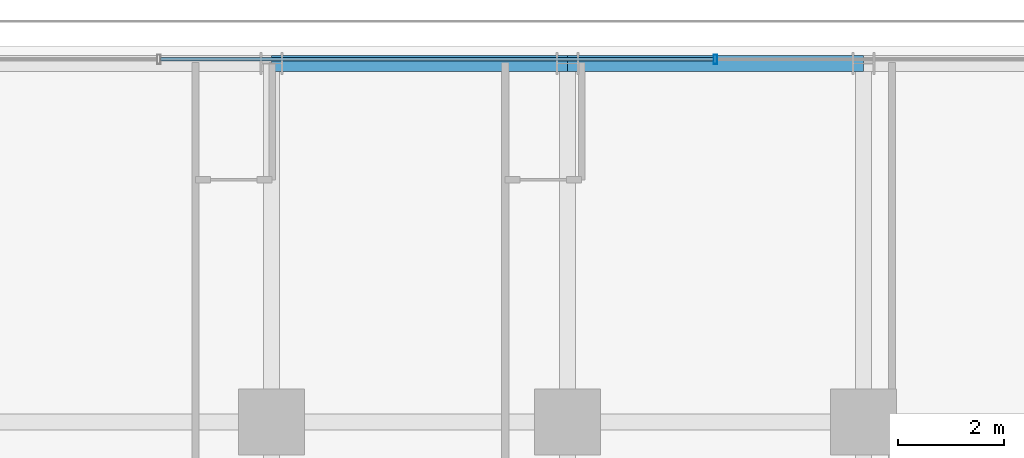
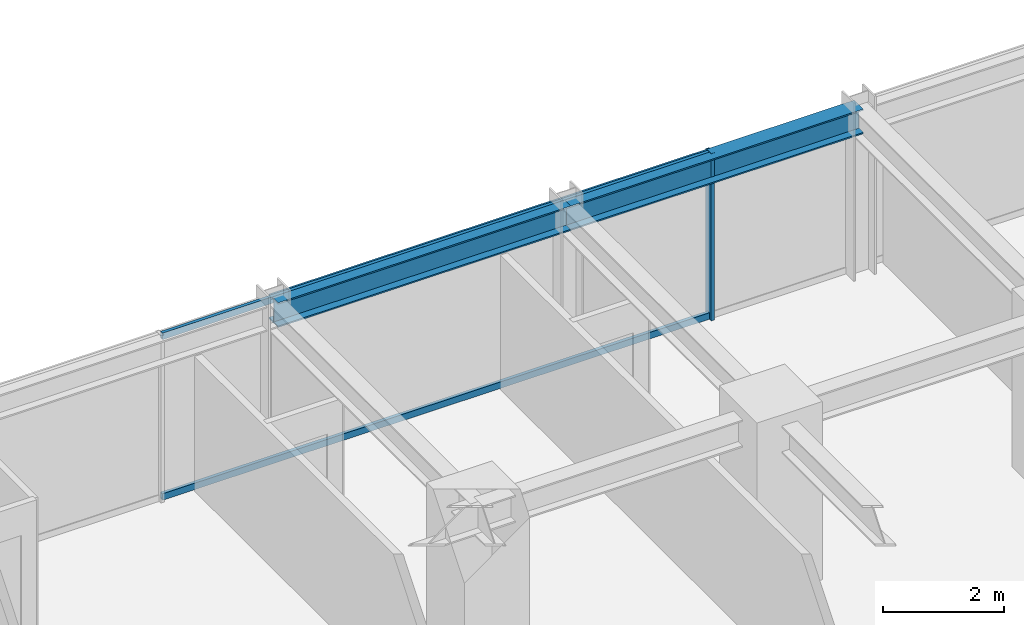
# One storey, part 20 of 34: 3 members, 2 beams, 1 element without a shape of its own.
"""IFC4 building model written with IfcOpenShell, lengths in metres."""

from ifc_helpers import new_model, si_unit, direction, frame, origin, origin_2d, place, context, subcontext, project, spatial, hollow_rectangle, i_section, extrude, source, transform, mapped, material, material_profile, profile_set, type_object, element, aggregate, save


model = new_model("IFC4")

# Units and contexts
model_context = context("Model", 3, precision=1e-05, world=origin(), true_north=direction((0.0, 1.0)))
body_context = subcontext(model_context, "Body", "Model", "MODEL_VIEW")
ifc_project = project(units=[si_unit("LENGTHUNIT", "METRE"), si_unit("AREAUNIT", "SQUARE_METRE"), si_unit("VOLUMEUNIT", "CUBIC_METRE"), si_unit("PLANEANGLEUNIT", "RADIAN"), si_unit("MASSUNIT", "GRAM", prefix="KILO")], contexts=[model_context])

# Site, building, storey
site_placement = place(None, origin())
site = spatial("IfcSite", under=ifc_project, at=site_placement, CompositionType="ELEMENT")
building_placement = place(site_placement, origin())
building = spatial("IfcBuilding", under=site, at=building_placement, Name="Nahalor Promenade Grand Hotel", CompositionType="ELEMENT")
storey_placement = place(building_placement, frame((0.0, 0.0, 88.300048828125)))
storey = spatial("IfcBuildingStorey", under=building, at=storey_placement, Name="L21", CompositionType="ELEMENT", Elevation=88.300048828125)

# Beams
ifc_material_1 = material(Name="Steel S355JR", Category="steel")
ifc_material_profile_1 = material_profile(ifc_material_1, i_section(OverallWidth=0.3, OverallDepth=0.5, WebThickness=0.0145, FlangeThickness=0.028, at=origin_2d()), Name="HEB 500")
ifc_profile_set_1 = profile_set([ifc_material_profile_1], Name="Steel S355JR")
beam_type = type_object("IfcBeamType", Name="Beam-Spandrel-HEB500", PredefinedType="SPANDREL", material=ifc_profile_set_1)
shared_shape_1 = source(origin(), body_context, "Body", "SweptSolid", [
    extrude(i_section(OverallWidth=0.3, OverallDepth=0.5, WebThickness=0.0145, FlangeThickness=0.028, at=origin_2d()), origin(), (0.0, 0.0, 1.0), 5.599853515625),
])
beam_1_placement = place(storey_placement, frame((-8.39990234375, 23.780029296875, 3.1298828125), z_axis=(1.0, 0.0, 0.0), x_axis=(0.0, 1.0, 0.0)))
element("IfcBeam", 1, at=beam_1_placement, inside=storey, type_object=beam_type, Name="BM-L21-SP-N-1", PredefinedType="SPANDREL", context=body_context, shape_type="MappedRepresentation", body=[
    mapped(shared_shape_1, transform((0.0, 0.0, 0.0), scale=1.0)),
])
shared_shape_2 = source(origin(), body_context, "Body", "SweptSolid", [
    extrude(i_section(OverallWidth=0.3, OverallDepth=0.5, WebThickness=0.0145, FlangeThickness=0.028, at=origin_2d()), origin(), (0.0, 0.0, 1.0), 5.60009765625),
])
beam_2_placement = place(storey_placement, frame((-2.800048828125, 23.780029296875, 3.1298828125), z_axis=(1.0, 0.0, 0.0), x_axis=(0.0, 1.0, 0.0)))
element("IfcBeam", 2, at=beam_2_placement, inside=storey, type_object=beam_type, Name="BM-L21-SP-N-2", PredefinedType="SPANDREL", context=body_context, shape_type="MappedRepresentation", body=[
    mapped(shared_shape_2, transform((0.0, 0.0, 0.0), scale=1.0)),
])

# Curtain wall, members
ifc_material_2 = material(Name="Anodised Bronze Aluminium EN AW-6063 T6", Category="aluminium")
curtain_wall_type = type_object("IfcCurtainWallType", Name="CW2 Typical Hotel Flush Bronze Unitised Curtain Wall", PredefinedType="USERDEFINED", material=ifc_material_2)
curtain_wall_placement = place(storey_placement, origin())
curtain_wall = element("IfcCurtainWall", 3, at=curtain_wall_placement, inside=storey, type_object=curtain_wall_type, Name="L21 Curtain Wall CW-L21-N-1", ObjectType="UNITISED_CURTAIN_WALL", PredefinedType="USERDEFINED")
ifc_material_profile_2 = material_profile(ifc_material_2, hollow_rectangle(XDim=0.065, YDim=0.18, WallThickness=0.004, at=origin_2d()), Name="CWM 65x180x4")
ifc_profile_set_2 = profile_set([ifc_material_profile_2], Name="Anodised Bronze Aluminium EN AW-6063 T6")
member_type_1 = type_object("IfcMemberType", Name="CWM2 Typical Bronze Mullion 65x180", PredefinedType="MULLION", material=ifc_profile_set_2)
shared_shape_3 = source(origin(), body_context, "Body", "SweptSolid", [
    extrude(hollow_rectangle(XDim=0.065, YDim=0.18, WallThickness=0.004, at=origin_2d()), origin(), (0.0, 0.0, 1.0), 3.3798828125),
])
member_1_placement = place(storey_placement, frame((0.0, 23.860107421875, 0.0), z_axis=(0.0, 0.0, 1.0), x_axis=(1.0, 0.0, 0.0)))
member_1 = element("IfcMember", 4, at=member_1_placement, type_object=member_type_1, Name="CW-L21-N-1 Mullion 2", PredefinedType="MULLION", context=body_context, shape_type="MappedRepresentation", body=[
    mapped(shared_shape_3, transform((0.0, 0.0, 0.0), scale=1.0)),
])
ifc_material_profile_3 = material_profile(ifc_material_2, hollow_rectangle(XDim=0.065, YDim=0.13, WallThickness=0.004, at=origin_2d()), Name="CWT 65x130x4")
ifc_profile_set_3 = profile_set([ifc_material_profile_3], Name="Anodised Bronze Aluminium EN AW-6063 T6")
member_type_2 = type_object("IfcMemberType", Name="CWT2 Typical Bronze Transom 65x130", PredefinedType="USERDEFINED", material=ifc_profile_set_3)
shared_shape_4 = source(origin(), body_context, "Body", "SweptSolid", [
    extrude(hollow_rectangle(XDim=0.065, YDim=0.13, WallThickness=0.004, at=origin_2d()), origin(), (0.0, 0.0, 1.0), 10.465087890625),
])
member_2_placement = place(storey_placement, frame((-10.49755859375, 23.860107421875, 0.06494140625), z_axis=(1.0, 0.0, 0.0), x_axis=(0.0, 1.0, 0.0)))
member_2 = element("IfcMember", 5, at=member_2_placement, type_object=member_type_2, Name="CW-L21-N-1 Transom 1-0", ObjectType="TRANSOM", PredefinedType="USERDEFINED", context=body_context, shape_type="MappedRepresentation", body=[
    mapped(shared_shape_4, transform((0.0, 0.0, 0.0), scale=1.0)),
])
member_3_placement = place(storey_placement, frame((-10.49755859375, 23.860107421875, 3.31494140625), z_axis=(1.0, 0.0, 0.0), x_axis=(0.0, 1.0, 0.0)))
member_3 = element("IfcMember", 6, at=member_3_placement, type_object=member_type_2, Name="CW-L21-N-1 Transom 1-1", ObjectType="TRANSOM", PredefinedType="USERDEFINED", context=body_context, shape_type="MappedRepresentation", body=[
    mapped(shared_shape_4, transform((0.0, 0.0, 0.0), scale=1.0)),
])
aggregate(curtain_wall, [member_1, member_2, member_3])

save(model, "model.ifc")
